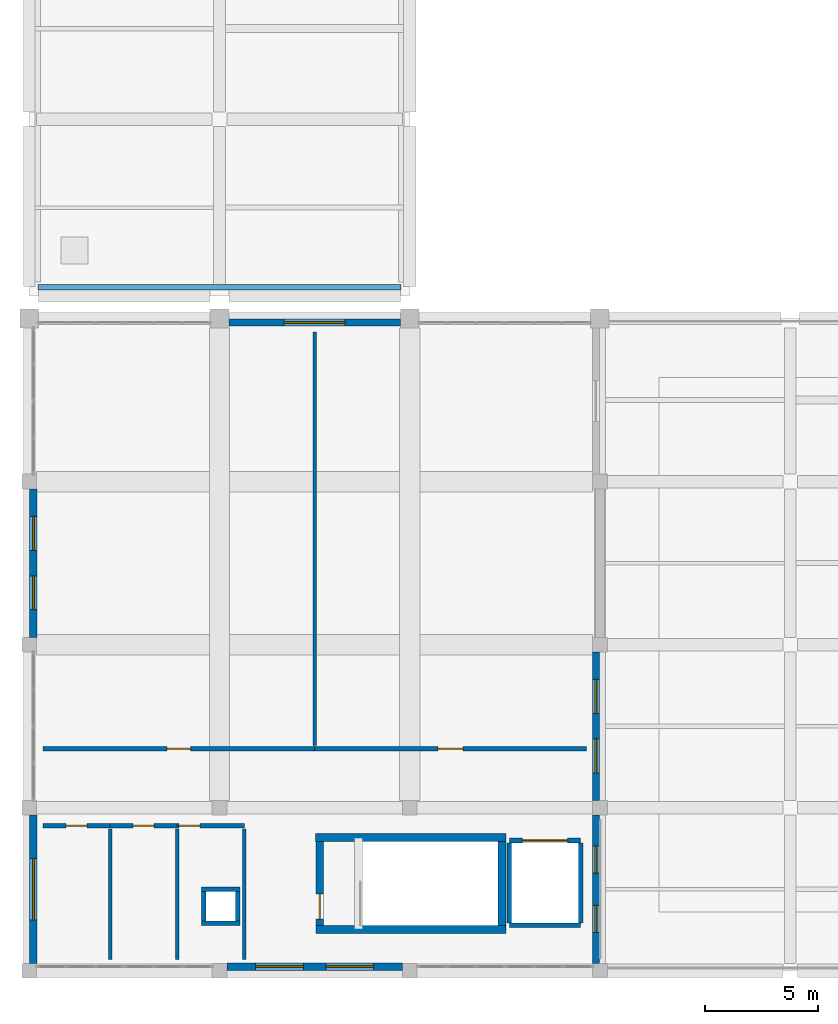
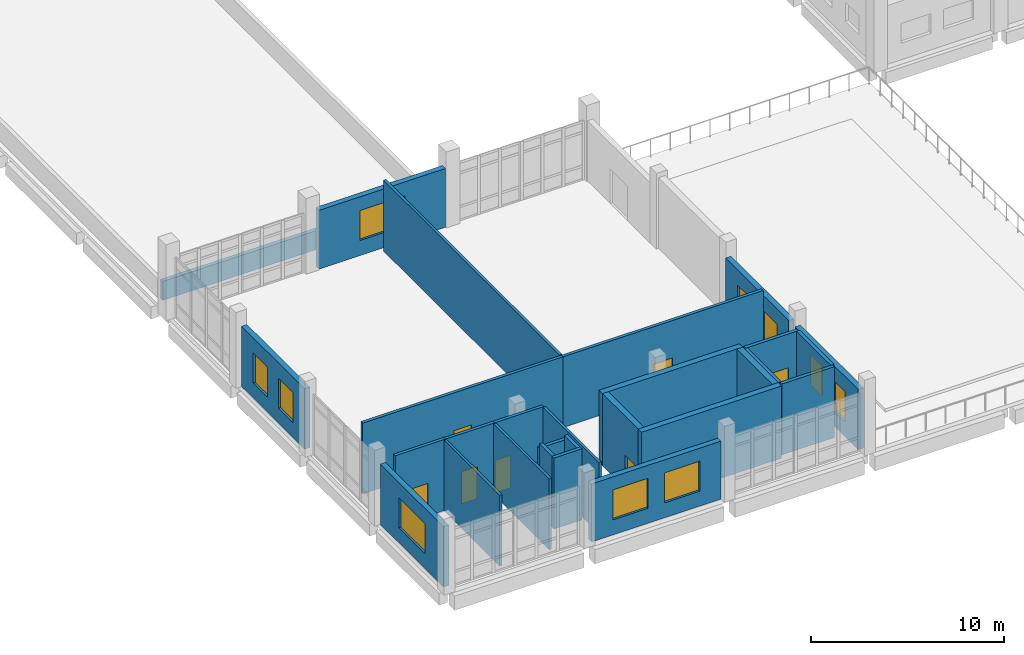
# One storey, part 48 of 73: 28 walls, 10 windows, 7 doors, 17 openings.
"""IFC4 building model written with IfcOpenShell, lengths in metres."""

from ifc_helpers import new_model, si_unit, direction, frame, frame_2d, origin, place, context, subcontext, project, spatial, rectangle, extrude, material, layer, layer_set, type_object, element, fill, save


model = new_model("IFC4")

# Units and contexts
model_context = context("Model", 3, precision=1e-05, world=origin(), true_north=direction((0.0, 1.0)))
body_context = subcontext(model_context, "Body", "Model", "MODEL_VIEW")
ifc_project = project(units=[si_unit("LENGTHUNIT", "METRE"), si_unit("AREAUNIT", "SQUARE_METRE"), si_unit("VOLUMEUNIT", "CUBIC_METRE"), si_unit("PLANEANGLEUNIT", "RADIAN"), si_unit("MASSUNIT", "GRAM", prefix="KILO")], contexts=[model_context])

# Site, building, storey
site_placement = place(None, origin())
site = spatial("IfcSite", under=ifc_project, at=site_placement, CompositionType="ELEMENT")
building_placement = place(site_placement, origin())
building = spatial("IfcBuilding", under=site, at=building_placement, Name="Kelarvand Opera House", CompositionType="ELEMENT")
storey_placement = place(building_placement, frame((0.0, 0.0, 10.199951171875)))
storey = spatial("IfcBuildingStorey", under=building, at=storey_placement, Name="L02", CompositionType="ELEMENT", Elevation=10.199951171875)

# Walls
ifc_material_1 = material(Name="Acoustic double-stud gypsum partition")
ifc_layer_1 = layer(ifc_material_1, 0.14990234375, Name="Acoustic double-stud gypsum partition")
ifc_layer_set_1 = layer_set([ifc_layer_1], Name="Acoustic double-stud gypsum partition")
wall_type_1 = type_object("IfcWallType", Name="Acoustic Room Partition Wall 150", PredefinedType="PARTITIONING", material=ifc_layer_set_1)
wall_1_placement = place(storey_placement, frame((21.60009765625, 18.93994140625, 0.0), z_axis=(0.0, 0.0, 1.0), x_axis=(0.0, 1.0, 0.0)))
element("IfcWall", 1, at=wall_1_placement, inside=storey, type_object=wall_type_1, Name="V4 L02 Partition Wall IW-150 (505)", PredefinedType="PARTITIONING", context=body_context, shape_type="SweptSolid", body=[
    extrude(rectangle(XDim=18.260009765625, YDim=0.14990234375, at=frame_2d((9.1298828125, 0.0))), origin(), (0.0, 0.0, 1.0), 4.491943359375),
])
for number, where, z_axis, x_axis, name in (
    (2, (12.56689453125, 9.5, 0.0), (0.0, 0.0, 1.0), (0.0, 1.0, 0.0), "V4 L02 Partition Wall IW-150 (508)"),
    (3, (15.532958984375, 9.5, 0.0), (0.0, 0.0, 1.0), (0.0, 1.0, 0.0), "V4 L02 Partition Wall IW-150 (510)"),
    (4, (18.5, 9.5, 0.0), (0.0, 0.0, 1.0), (0.0, 1.0, 0.0), "V4 L02 Partition Wall IW-150 (511)"),
):
    element("IfcWall", number, at=place(storey_placement, frame(where, z_axis=z_axis, x_axis=x_axis)), inside=storey, type_object=wall_type_1, Name=name, PredefinedType="PARTITIONING", context=body_context, shape_type="SweptSolid", body=[
        extrude(rectangle(XDim=5.760009765625, YDim=0.14990234375, at=frame_2d((2.8798828125, 0.0))), origin(), (0.0, 0.0, 1.0), 4.491943359375),
    ])
ifc_material_2 = material(Name="Concrete C35/45", Category="concrete")
ifc_layer_2 = layer(ifc_material_2, 0.239990234375, Name="Concrete C35/45", Category="concrete")
ifc_layer_set_2 = layer_set([ifc_layer_2], Name="Concrete C35/45")
wall_type_2 = type_object("IfcWallType", Name="Capped Travertine Roof Parapet 240", PredefinedType="PARAPET", material=ifc_layer_set_2)
wall_2_placement = place(storey_placement, frame((9.3798828125, 39.179931640625, 0.0), z_axis=(0.0, 0.0, 1.0), x_axis=(1.0, 0.0, 0.0)))
element("IfcWall", 5, at=wall_2_placement, inside=storey, type_object=wall_type_2, Name="V4 Roof Parapet 25", PredefinedType="PARAPET", context=body_context, shape_type="SweptSolid", body=[
    extrude(rectangle(XDim=16.0400390625, YDim=0.239990234375, at=frame_2d((8.02001953125, 0.0))), origin(), (0.0, 0.0, 1.0), 1.199951171875),
])
ifc_material_3 = material(Name="Concrete C40/50", Category="concrete")
ifc_layer_3 = layer(ifc_material_3, 0.35009765625, Name="Concrete C40/50", Category="concrete")
ifc_layer_set_3 = layer_set([ifc_layer_3], Name="Concrete C40/50")
wall_type_3 = type_object("IfcWallType", Name="Core Stair and Lift Shear Wall 350", PredefinedType="SHEAR", material=ifc_layer_set_3)
for number, where, z_axis, x_axis, name in (
    (6, (21.64990234375, 10.824951171875, 0.0), (0.0, 0.0, 1.0), (1.0, 0.0, 0.0), "C6 Stair Core Shear Wall S L02"),
    (7, (30.050048828125, 14.875, 0.0), (0.0, 0.0, 1.0), (-1.0, 0.0, 0.0), "C6 Stair Core Shear Wall N L02"),
):
    element("IfcWall", number, at=place(storey_placement, frame(where, z_axis=z_axis, x_axis=x_axis)), inside=storey, type_object=wall_type_3, Name=name, PredefinedType="SHEAR", context=body_context, shape_type="SweptSolid", body=[
        extrude(rectangle(XDim=8.400146484375, YDim=0.35009765625, at=frame_2d((4.2001953125, 0.0))), origin(), (0.0, 0.0, 1.0), 4.580078125),
    ])

# Wall, opening, door
wall_3_placement = place(storey_placement, frame((21.824951171875, 11.0, 0.0), z_axis=(0.0, 0.0, 1.0), x_axis=(0.0, 1.0, 0.0)))
wall_3 = element("IfcWall", 8, at=wall_3_placement, inside=storey, type_object=wall_type_3, Name="C6 Stair Core Shear Wall W L02", PredefinedType="SHEAR", context=body_context, shape_type="SweptSolid", body=[
    extrude(rectangle(XDim=3.699951171875, YDim=0.35009765625, at=frame_2d((1.85009765625, 0.0))), origin(), (0.0, 0.0, 1.0), 4.580078125),
])
opening_1_placement = place(wall_3_placement, frame((0.280029296875, 0.0, 0.0)))
opening_1 = element("IfcOpeningElement", 9, at=opening_1_placement, cuts=wall_3, Name="Opening FD-01", PredefinedType="OPENING", context=body_context, shape_type="SweptSolid", body=[
    extrude(rectangle(XDim=1.10009765625, YDim=2.080078125, at=frame_2d((0.550048828125, 1.0400390625))), frame((0.0, 0.18505859375, 0.0), z_axis=(0.0, -1.0, 0.0), x_axis=(1.0, 0.0, 0.0)), (0.0, 0.0, 1.0), 0.3701171875),
])
ifc_material_4 = material(Name="Fire-rated brushed stainless steel", Category="steel")
door_type_1 = type_object("IfcDoorType", Name="Steel Fire-Rated Stair and FF Lobby Door 1100x2080", OperationType="NOTDEFINED", PredefinedType="DOOR", material=ifc_material_4)
door_1_placement = place(opening_1_placement, origin())
door_1 = element("IfcDoor", 10, at=door_1_placement, inside=storey, type_object=door_type_1, Name="C6 Stair ST-06 Fire Door L02", OperationType="SINGLE_SWING_RIGHT", OverallHeight=2.080078125, OverallWidth=1.10009765625, PredefinedType="DOOR", context=body_context, shape_type="SweptSolid", body=[
    extrude(rectangle(XDim=1.10009765625, YDim=2.080078125, at=frame_2d((0.550048828125, 1.0400390625))), frame((0.0, 0.02490234375, 0.0), z_axis=(0.0, -1.0, 0.0), x_axis=(1.0, 0.0, 0.0)), (0.0, 0.0, 1.0), 0.050048828125),
])
fill(opening_1, door_1)

# Wall
wall_4_placement = place(storey_placement, frame((29.875, 14.699951171875, 0.0), z_axis=(0.0, 0.0, 1.0), x_axis=(0.0, -1.0, 0.0)))
element("IfcWall", 11, at=wall_4_placement, inside=storey, type_object=wall_type_3, Name="C6 Stair Core Shear Wall E L02", PredefinedType="SHEAR", context=body_context, shape_type="SweptSolid", body=[
    extrude(rectangle(XDim=3.699951171875, YDim=0.35009765625, at=frame_2d((1.85009765625, 0.0))), origin(), (0.0, 0.0, 1.0), 4.580078125),
])

# Wall, opening, door
ifc_layer_4 = layer(ifc_material_2, 0.179931640625, Name="Concrete C35/45", Category="concrete")
ifc_layer_set_4 = layer_set([ifc_layer_4], Name="Concrete C35/45")
wall_type_4 = type_object("IfcWallType", Name="Corridor Fire-Rated Partition Wall 180 EI90", PredefinedType="PARTITIONING", material=ifc_layer_set_4)
wall_5_placement = place(storey_placement, frame((9.60009765625, 18.800048828125, 0.0), z_axis=(0.0, 0.0, 1.0), x_axis=(1.0, 0.0, 0.0)))
wall_5 = element("IfcWall", 12, at=wall_5_placement, inside=storey, type_object=wall_type_4, Name="V4 L02 Partition Wall IW-90 (504)", PredefinedType="PARTITIONING", context=body_context, shape_type="SweptSolid", body=[
    extrude(rectangle(XDim=12.0, YDim=0.179931640625, at=frame_2d((6.0, 0.0))), origin(), (0.0, 0.0, 1.0), 4.491943359375),
])
opening_2_placement = place(wall_5_placement, frame((5.47509765625, 0.0, 0.0)))
opening_2 = element("IfcOpeningElement", 13, at=opening_2_placement, cuts=wall_5, Name="Opening D-02", PredefinedType="OPENING", context=body_context, shape_type="SweptSolid", body=[
    extrude(rectangle(XDim=1.050048828125, YDim=2.10009765625, at=frame_2d((0.52490234375, 1.050048828125))), frame((0.0, 0.10009765625, 0.0), z_axis=(0.0, -1.0, 0.0), x_axis=(1.0, 0.0, 0.0)), (0.0, 0.0, 1.0), 0.199951171875),
])
ifc_material_5 = material(Name="Acoustic walnut-veneered hardwood", Category="wood")
door_type_2 = type_object("IfcDoorType", Name="Acoustic Studio Single Door 1050x2100", OperationType="NOTDEFINED", PredefinedType="DOOR", material=ifc_material_5)
door_2_placement = place(opening_2_placement, origin())
door_2 = element("IfcDoor", 14, at=door_2_placement, inside=storey, type_object=door_type_2, Name="V4 L02 Door D-02 (224)", OperationType="SINGLE_SWING_RIGHT", OverallHeight=2.10009765625, OverallWidth=1.050048828125, PredefinedType="DOOR", context=body_context, shape_type="SweptSolid", body=[
    extrude(rectangle(XDim=1.050048828125, YDim=2.10009765625, at=frame_2d((0.52490234375, 1.050048828125))), frame((0.0, 0.02490234375, 0.0), z_axis=(0.0, -1.0, 0.0), x_axis=(1.0, 0.0, 0.0)), (0.0, 0.0, 1.0), 0.050048828125),
])
fill(opening_2, door_2)

wall_6_placement = place(storey_placement, frame((21.60009765625, 18.800048828125, 0.0), z_axis=(0.0, 0.0, 1.0), x_axis=(1.0, 0.0, 0.0)))
wall_6 = element("IfcWall", 15, at=wall_6_placement, inside=storey, type_object=wall_type_4, Name="V4 L02 Partition Wall IW-90 (506)", PredefinedType="PARTITIONING", context=body_context, shape_type="SweptSolid", body=[
    extrude(rectangle(XDim=12.0, YDim=0.179931640625, at=frame_2d((6.0, 0.0))), origin(), (0.0, 0.0, 1.0), 4.491943359375),
])
opening_3_placement = place(wall_6_placement, frame((5.43994140625, 0.0, 0.0)))
opening_3 = element("IfcOpeningElement", 16, at=opening_3_placement, cuts=wall_6, Name="Opening D-10", PredefinedType="OPENING", context=body_context, shape_type="SweptSolid", body=[
    extrude(rectangle(XDim=1.1201171875, YDim=2.1201171875, at=frame_2d((0.56005859375, 1.06005859375))), frame((0.0, 0.10009765625, 0.0), z_axis=(0.0, -1.0, 0.0), x_axis=(1.0, 0.0, 0.0)), (0.0, 0.0, 1.0), 0.199951171875),
])
door_type_3 = type_object("IfcDoorType", Name="Chorus Studio Single Door 1120x2120", OperationType="NOTDEFINED", PredefinedType="DOOR", material=ifc_material_5)
door_3_placement = place(opening_3_placement, origin())
door_3 = element("IfcDoor", 17, at=door_3_placement, inside=storey, type_object=door_type_3, Name="V4 L02 Door D-10 (225)", OperationType="SINGLE_SWING_LEFT", OverallHeight=2.1201171875, OverallWidth=1.1201171875, PredefinedType="DOOR", context=body_context, shape_type="SweptSolid", body=[
    extrude(rectangle(XDim=1.1201171875, YDim=2.1201171875, at=frame_2d((0.56005859375, 1.06005859375))), frame((0.0, 0.02490234375, 0.0), z_axis=(0.0, -1.0, 0.0), x_axis=(1.0, 0.0, 0.0)), (0.0, 0.0, 1.0), 0.050048828125),
])
fill(opening_3, door_3)

wall_7_placement = place(storey_placement, frame((9.60009765625, 15.39990234375, 0.0), z_axis=(0.0, 0.0, 1.0), x_axis=(1.0, 0.0, 0.0)))
wall_7 = element("IfcWall", 18, at=wall_7_placement, inside=storey, type_object=wall_type_4, Name="V4 L02 Partition Wall IW-90 (507)", PredefinedType="PARTITIONING", context=body_context, shape_type="SweptSolid", body=[
    extrude(rectangle(XDim=2.966796875, YDim=0.179931640625, at=frame_2d((1.4833984375, 0.0))), origin(), (0.0, 0.0, 1.0), 4.491943359375),
])
opening_4_placement = place(wall_7_placement, frame((1.02392578125, 0.0, 0.0)))
opening_4 = element("IfcOpeningElement", 19, at=opening_4_placement, cuts=wall_7, Name="Opening D-01", PredefinedType="OPENING", context=body_context, shape_type="SweptSolid", body=[
    extrude(rectangle(XDim=0.919921875, YDim=2.050048828125, at=frame_2d((0.4599609375, 1.02490234375))), frame((0.0, 0.10009765625, 0.0), z_axis=(0.0, -1.0, 0.0), x_axis=(1.0, 0.0, 0.0)), (0.0, 0.0, 1.0), 0.199951171875),
])
door_type_4 = type_object("IfcDoorType", Name="Solid Timber Dressing and WC Door 920x2050", OperationType="NOTDEFINED", PredefinedType="DOOR", material=ifc_material_5)
door_4_placement = place(opening_4_placement, origin())
door_4 = element("IfcDoor", 20, at=door_4_placement, inside=storey, type_object=door_type_4, Name="V4 L02 Door D-01 (226)", OperationType="SINGLE_SWING_RIGHT", OverallHeight=2.050048828125, OverallWidth=0.919921875, PredefinedType="DOOR", context=body_context, shape_type="SweptSolid", body=[
    extrude(rectangle(XDim=0.919921875, YDim=2.050048828125, at=frame_2d((0.4599609375, 1.02490234375))), frame((0.0, 0.02490234375, 0.0), z_axis=(0.0, -1.0, 0.0), x_axis=(1.0, 0.0, 0.0)), (0.0, 0.0, 1.0), 0.050048828125),
])
fill(opening_4, door_4)

wall_8_placement = place(storey_placement, frame((12.56689453125, 15.39990234375, 0.0), z_axis=(0.0, 0.0, 1.0), x_axis=(1.0, 0.0, 0.0)))
wall_8 = element("IfcWall", 21, at=wall_8_placement, inside=storey, type_object=wall_type_4, Name="V4 L02 Partition Wall IW-90 (509)", PredefinedType="PARTITIONING", context=body_context, shape_type="SweptSolid", body=[
    extrude(rectangle(XDim=2.966064453125, YDim=0.179931640625, at=frame_2d((1.48291015625, 0.0))), origin(), (0.0, 0.0, 1.0), 4.491943359375),
])
opening_5_placement = place(wall_8_placement, frame((1.02294921875, 0.0, 0.0)))
opening_5 = element("IfcOpeningElement", 22, at=opening_5_placement, cuts=wall_8, Name="Opening D-01", PredefinedType="OPENING", context=body_context, shape_type="SweptSolid", body=[
    extrude(rectangle(XDim=0.919921875, YDim=2.050048828125, at=frame_2d((0.4599609375, 1.02490234375))), frame((0.0, 0.10009765625, 0.0), z_axis=(0.0, -1.0, 0.0), x_axis=(1.0, 0.0, 0.0)), (0.0, 0.0, 1.0), 0.199951171875),
])
door_5_placement = place(opening_5_placement, origin())
door_5 = element("IfcDoor", 23, at=door_5_placement, inside=storey, type_object=door_type_4, Name="V4 L02 Door D-01 (227)", OperationType="SINGLE_SWING_LEFT", OverallHeight=2.050048828125, OverallWidth=0.919921875, PredefinedType="DOOR", context=body_context, shape_type="SweptSolid", body=[
    extrude(rectangle(XDim=0.919921875, YDim=2.050048828125, at=frame_2d((0.4599609375, 1.02490234375))), frame((0.0, 0.02490234375, 0.0), z_axis=(0.0, -1.0, 0.0), x_axis=(1.0, 0.0, 0.0)), (0.0, 0.0, 1.0), 0.050048828125),
])
fill(opening_5, door_5)

wall_9_placement = place(storey_placement, frame((15.532958984375, 15.39990234375, 0.0), z_axis=(0.0, 0.0, 1.0), x_axis=(1.0, 0.0, 0.0)))
wall_9 = element("IfcWall", 24, at=wall_9_placement, inside=storey, type_object=wall_type_4, Name="V4 L02 Partition Wall IW-90 (512)", PredefinedType="PARTITIONING", context=body_context, shape_type="SweptSolid", body=[
    extrude(rectangle(XDim=2.967041015625, YDim=0.179931640625, at=frame_2d((1.4833984375, 0.0))), origin(), (0.0, 0.0, 1.0), 4.491943359375),
])
opening_6_placement = place(wall_9_placement, frame((0.080078125, 0.0, 0.0)))
opening_6 = element("IfcOpeningElement", 25, at=opening_6_placement, cuts=wall_9, Name="Opening D-01", PredefinedType="OPENING", context=body_context, shape_type="SweptSolid", body=[
    extrude(rectangle(XDim=0.919921875, YDim=2.050048828125, at=frame_2d((0.4599609375, 1.02490234375))), frame((0.0, 0.10009765625, 0.0), z_axis=(0.0, -1.0, 0.0), x_axis=(1.0, 0.0, 0.0)), (0.0, 0.0, 1.0), 0.199951171875),
])
door_6_placement = place(opening_6_placement, origin())
door_6 = element("IfcDoor", 26, at=door_6_placement, inside=storey, type_object=door_type_4, Name="V4 L02 Door D-01 (228)", OperationType="SINGLE_SWING_RIGHT", OverallHeight=2.050048828125, OverallWidth=0.919921875, PredefinedType="DOOR", context=body_context, shape_type="SweptSolid", body=[
    extrude(rectangle(XDim=0.919921875, YDim=2.050048828125, at=frame_2d((0.4599609375, 1.02490234375))), frame((0.0, 0.02490234375, 0.0), z_axis=(0.0, -1.0, 0.0), x_axis=(1.0, 0.0, 0.0)), (0.0, 0.0, 1.0), 0.050048828125),
])
fill(opening_6, door_6)

# Wall, openings, windows
ifc_layer_5 = layer(ifc_material_2, 0.320068359375, Name="Concrete C35/45", Category="concrete")
ifc_layer_set_5 = layer_set([ifc_layer_5], Name="Concrete C35/45")
wall_type_5 = type_object("IfcWallType", Name="Insulated Buff Brick Cavity Wall 320", PredefinedType="SOLIDWALL", material=ifc_layer_set_5)
wall_10_placement = place(storey_placement, frame((34.02001953125, 23.074951171875, 0.0), z_axis=(0.0, 0.0, 1.0), x_axis=(0.0, -1.0, 0.0)))
wall_10 = element("IfcWall", 27, at=wall_10_placement, inside=storey, type_object=wall_type_5, Name="V4 L02 Exterior Wall EW-320 (549)", PredefinedType="SOLIDWALL", context=body_context, shape_type="SweptSolid", body=[
    extrude(rectangle(XDim=6.550048828125, YDim=0.320068359375, at=frame_2d((3.27490234375, 0.0))), origin(), (0.0, 0.0, 1.0), 3.822021484375),
])
opening_7_placement = place(wall_10_placement, frame((1.215087890625, 0.0, 0.949951171875)))
opening_7 = element("IfcOpeningElement", 28, at=opening_7_placement, cuts=wall_10, Name="Opening WN-11", PredefinedType="OPENING", context=body_context, shape_type="SweptSolid", body=[
    extrude(rectangle(XDim=1.5, YDim=1.89990234375, at=frame_2d((0.75, 0.949951171875))), frame((0.0, 0.169921875, 0.0), z_axis=(0.0, -1.0, 0.0), x_axis=(1.0, 0.0, 0.0)), (0.0, 0.0, 1.0), 0.340087890625),
])
opening_8_placement = place(wall_10_placement, frame((3.8349609375, 0.0, 0.949951171875)))
opening_8 = element("IfcOpeningElement", 29, at=opening_8_placement, cuts=wall_10, Name="Opening WN-11", PredefinedType="OPENING", context=body_context, shape_type="SweptSolid", body=[
    extrude(rectangle(XDim=1.5, YDim=1.89990234375, at=frame_2d((0.75, 0.949951171875))), frame((0.0, 0.169921875, 0.0), z_axis=(0.0, -1.0, 0.0), x_axis=(1.0, 0.0, 0.0)), (0.0, 0.0, 1.0), 0.340087890625),
])
ifc_material_6 = material(Name="Thermally broken aluminium and low-E double glazing", Category="aluminium")
window_type_1 = type_object("IfcWindowType", Name="Recessed Aluminium Thermal Window 1500x1900 WN-11", PartitioningType="SINGLE_PANEL", PredefinedType="WINDOW", material=ifc_material_6)
window_1_placement = place(opening_7_placement, origin())
window_1 = element("IfcWindow", 30, at=window_1_placement, inside=storey, type_object=window_type_1, Name="V4 L02 Facade Window WN-11 (269)", OverallHeight=1.89990234375, OverallWidth=1.5, PartitioningType="SINGLE_PANEL", PredefinedType="WINDOW", context=body_context, shape_type="SweptSolid", body=[
    extrude(rectangle(XDim=1.5, YDim=1.89990234375, at=frame_2d((0.75, 0.949951171875))), frame((0.0, 0.030029296875, 0.0), z_axis=(0.0, -1.0, 0.0), x_axis=(1.0, 0.0, 0.0)), (0.0, 0.0, 1.0), 0.06005859375),
])
fill(opening_7, window_1)
window_2_placement = place(opening_8_placement, origin())
window_2 = element("IfcWindow", 31, at=window_2_placement, inside=storey, type_object=window_type_1, Name="V4 L02 Facade Window WN-11 (270)", OverallHeight=1.89990234375, OverallWidth=1.5, PartitioningType="SINGLE_PANEL", PredefinedType="WINDOW", context=body_context, shape_type="SweptSolid", body=[
    extrude(rectangle(XDim=1.5, YDim=1.89990234375, at=frame_2d((0.75, 0.949951171875))), frame((0.0, 0.030029296875, 0.0), z_axis=(0.0, -1.0, 0.0), x_axis=(1.0, 0.0, 0.0)), (0.0, 0.0, 1.0), 0.06005859375),
])
fill(opening_8, window_2)

wall_11_placement = place(storey_placement, frame((34.02001953125, 15.875, 0.0), z_axis=(0.0, 0.0, 1.0), x_axis=(0.0, -1.0, 0.0)))
wall_11 = element("IfcWall", 32, at=wall_11_placement, inside=storey, type_object=wall_type_5, Name="V4 L02 Exterior Wall EW-320 (550)", PredefinedType="SOLIDWALL", context=body_context, shape_type="SweptSolid", body=[
    extrude(rectangle(XDim=6.550048828125, YDim=0.320068359375, at=frame_2d((3.27490234375, 0.0))), origin(), (0.0, 0.0, 1.0), 3.822021484375),
])
opening_9_placement = place(wall_11_placement, frame((1.364990234375, 0.0, 0.949951171875)))
opening_9 = element("IfcOpeningElement", 33, at=opening_9_placement, cuts=wall_11, Name="Opening WN-10", PredefinedType="OPENING", context=body_context, shape_type="SweptSolid", body=[
    extrude(rectangle(XDim=1.199951171875, YDim=1.89990234375, at=frame_2d((0.60009765625, 0.949951171875))), frame((0.0, 0.169921875, 0.0), z_axis=(0.0, -1.0, 0.0), x_axis=(1.0, 0.0, 0.0)), (0.0, 0.0, 1.0), 0.340087890625),
])
opening_10_placement = place(wall_11_placement, frame((3.985107421875, 0.0, 0.949951171875)))
opening_10 = element("IfcOpeningElement", 34, at=opening_10_placement, cuts=wall_11, Name="Opening WN-10", PredefinedType="OPENING", context=body_context, shape_type="SweptSolid", body=[
    extrude(rectangle(XDim=1.199951171875, YDim=1.89990234375, at=frame_2d((0.60009765625, 0.949951171875))), frame((0.0, 0.169921875, 0.0), z_axis=(0.0, -1.0, 0.0), x_axis=(1.0, 0.0, 0.0)), (0.0, 0.0, 1.0), 0.340087890625),
])
window_type_2 = type_object("IfcWindowType", Name="Recessed Aluminium Thermal Window 1200x1900 WN-10", PartitioningType="SINGLE_PANEL", PredefinedType="WINDOW", material=ifc_material_6)
window_3_placement = place(opening_9_placement, origin())
window_3 = element("IfcWindow", 35, at=window_3_placement, inside=storey, type_object=window_type_2, Name="V4 L02 Facade Window WN-10 (271)", OverallHeight=1.89990234375, OverallWidth=1.199951171875, PartitioningType="SINGLE_PANEL", PredefinedType="WINDOW", context=body_context, shape_type="SweptSolid", body=[
    extrude(rectangle(XDim=1.199951171875, YDim=1.89990234375, at=frame_2d((0.60009765625, 0.949951171875))), frame((0.0, 0.030029296875, 0.0), z_axis=(0.0, -1.0, 0.0), x_axis=(1.0, 0.0, 0.0)), (0.0, 0.0, 1.0), 0.06005859375),
])
fill(opening_9, window_3)
window_4_placement = place(opening_10_placement, origin())
window_4 = element("IfcWindow", 36, at=window_4_placement, inside=storey, type_object=window_type_2, Name="V4 L02 Facade Window WN-10 (272)", OverallHeight=1.89990234375, OverallWidth=1.199951171875, PartitioningType="SINGLE_PANEL", PredefinedType="WINDOW", context=body_context, shape_type="SweptSolid", body=[
    extrude(rectangle(XDim=1.199951171875, YDim=1.89990234375, at=frame_2d((0.60009765625, 0.949951171875))), frame((0.0, 0.030029296875, 0.0), z_axis=(0.0, -1.0, 0.0), x_axis=(1.0, 0.0, 0.0)), (0.0, 0.0, 1.0), 0.06005859375),
])
fill(opening_10, window_4)

# Wall, opening, window
wall_12_placement = place(storey_placement, frame((17.81005859375, 37.6201171875, 0.0), z_axis=(0.0, 0.0, 1.0), x_axis=(1.0, 0.0, 0.0)))
wall_12 = element("IfcWall", 37, at=wall_12_placement, inside=storey, type_object=wall_type_5, Name="V4 L02 Exterior Wall EW-320 (551)", PredefinedType="SOLIDWALL", context=body_context, shape_type="SweptSolid", body=[
    extrude(rectangle(XDim=7.579833984375, YDim=0.320068359375, at=frame_2d((3.7900390625, 0.0))), origin(), (0.0, 0.0, 1.0), 3.72216796875),
])
opening_11_placement = place(wall_12_placement, frame((2.43994140625, 0.0, 0.949951171875)))
opening_11 = element("IfcOpeningElement", 38, at=opening_11_placement, cuts=wall_12, Name="Opening WN-15", PredefinedType="OPENING", context=body_context, shape_type="SweptSolid", body=[
    extrude(rectangle(XDim=2.699951171875, YDim=1.89990234375, at=frame_2d((1.35009765625, 0.949951171875))), frame((0.0, 0.169921875, 0.0), z_axis=(0.0, -1.0, 0.0), x_axis=(1.0, 0.0, 0.0)), (0.0, 0.0, 1.0), 0.340087890625),
])
window_type_3 = type_object("IfcWindowType", Name="Recessed Aluminium Thermal Window 2700x1900 WN-15", PartitioningType="SINGLE_PANEL", PredefinedType="WINDOW", material=ifc_material_6)
window_5_placement = place(opening_11_placement, origin())
window_5 = element("IfcWindow", 39, at=window_5_placement, inside=storey, type_object=window_type_3, Name="V4 L02 Facade Window WN-15 (273)", OverallHeight=1.89990234375, OverallWidth=2.699951171875, PartitioningType="SINGLE_PANEL", PredefinedType="WINDOW", context=body_context, shape_type="SweptSolid", body=[
    extrude(rectangle(XDim=2.699951171875, YDim=1.89990234375, at=frame_2d((1.35009765625, 0.949951171875))), frame((0.0, 0.030029296875, 0.0), z_axis=(0.0, -1.0, 0.0), x_axis=(1.0, 0.0, 0.0)), (0.0, 0.0, 1.0), 0.06005859375),
])
fill(opening_11, window_5)

wall_13_placement = place(storey_placement, frame((9.179931640625, 9.324951171875, 0.0), z_axis=(0.0, 0.0, 1.0), x_axis=(0.0, 1.0, 0.0)))
wall_13 = element("IfcWall", 40, at=wall_13_placement, inside=storey, type_object=wall_type_5, Name="V4 L02 Exterior Wall EW-320 (552)", PredefinedType="SOLIDWALL", context=body_context, shape_type="SweptSolid", body=[
    extrude(rectangle(XDim=6.550048828125, YDim=0.320068359375, at=frame_2d((3.27490234375, 0.0))), origin(), (0.0, 0.0, 1.0), 3.822021484375),
])
opening_12_placement = place(wall_13_placement, frame((1.925048828125, 0.0, 0.949951171875)))
opening_12 = element("IfcOpeningElement", 41, at=opening_12_placement, cuts=wall_13, Name="Opening WN-15", PredefinedType="OPENING", context=body_context, shape_type="SweptSolid", body=[
    extrude(rectangle(XDim=2.699951171875, YDim=1.89990234375, at=frame_2d((1.35009765625, 0.949951171875))), frame((0.0, 0.169921875, 0.0), z_axis=(0.0, -1.0, 0.0), x_axis=(1.0, 0.0, 0.0)), (0.0, 0.0, 1.0), 0.340087890625),
])
window_6_placement = place(opening_12_placement, origin())
window_6 = element("IfcWindow", 42, at=window_6_placement, inside=storey, type_object=window_type_3, Name="V4 L02 Facade Window WN-15 (274)", OverallHeight=1.89990234375, OverallWidth=2.699951171875, PartitioningType="SINGLE_PANEL", PredefinedType="WINDOW", context=body_context, shape_type="SweptSolid", body=[
    extrude(rectangle(XDim=2.699951171875, YDim=1.89990234375, at=frame_2d((1.35009765625, 0.949951171875))), frame((0.0, 0.030029296875, 0.0), z_axis=(0.0, -1.0, 0.0), x_axis=(1.0, 0.0, 0.0)), (0.0, 0.0, 1.0), 0.06005859375),
])
fill(opening_12, window_6)

# Wall, openings, windows
wall_14_placement = place(storey_placement, frame((9.179931640625, 23.72509765625, 0.0), z_axis=(0.0, 0.0, 1.0), x_axis=(0.0, 1.0, 0.0)))
wall_14 = element("IfcWall", 43, at=wall_14_placement, inside=storey, type_object=wall_type_5, Name="V4 L02 Exterior Wall EW-320 (553)", PredefinedType="SOLIDWALL", context=body_context, shape_type="SweptSolid", body=[
    extrude(rectangle(XDim=6.5498046875, YDim=0.320068359375, at=frame_2d((3.27490234375, 0.0))), origin(), (0.0, 0.0, 1.0), 3.822021484375),
])
opening_13_placement = place(wall_14_placement, frame((1.215087890625, 0.0, 0.949951171875)))
opening_13 = element("IfcOpeningElement", 44, at=opening_13_placement, cuts=wall_14, Name="Opening WN-11", PredefinedType="OPENING", context=body_context, shape_type="SweptSolid", body=[
    extrude(rectangle(XDim=1.5, YDim=1.89990234375, at=frame_2d((0.75, 0.949951171875))), frame((0.0, 0.169921875, 0.0), z_axis=(0.0, -1.0, 0.0), x_axis=(1.0, 0.0, 0.0)), (0.0, 0.0, 1.0), 0.340087890625),
])
opening_14_placement = place(wall_14_placement, frame((3.8349609375, 0.0, 0.949951171875)))
opening_14 = element("IfcOpeningElement", 45, at=opening_14_placement, cuts=wall_14, Name="Opening WN-11", PredefinedType="OPENING", context=body_context, shape_type="SweptSolid", body=[
    extrude(rectangle(XDim=1.5, YDim=1.89990234375, at=frame_2d((0.75, 0.949951171875))), frame((0.0, 0.169921875, 0.0), z_axis=(0.0, -1.0, 0.0), x_axis=(1.0, 0.0, 0.0)), (0.0, 0.0, 1.0), 0.340087890625),
])
window_7_placement = place(opening_13_placement, origin())
window_7 = element("IfcWindow", 46, at=window_7_placement, inside=storey, type_object=window_type_1, Name="V4 L02 Facade Window WN-11 (275)", OverallHeight=1.89990234375, OverallWidth=1.5, PartitioningType="SINGLE_PANEL", PredefinedType="WINDOW", context=body_context, shape_type="SweptSolid", body=[
    extrude(rectangle(XDim=1.5, YDim=1.89990234375, at=frame_2d((0.75, 0.949951171875))), frame((0.0, 0.030029296875, 0.0), z_axis=(0.0, -1.0, 0.0), x_axis=(1.0, 0.0, 0.0)), (0.0, 0.0, 1.0), 0.06005859375),
])
fill(opening_13, window_7)
window_8_placement = place(opening_14_placement, origin())
window_8 = element("IfcWindow", 47, at=window_8_placement, inside=storey, type_object=window_type_1, Name="V4 L02 Facade Window WN-11 (276)", OverallHeight=1.89990234375, OverallWidth=1.5, PartitioningType="SINGLE_PANEL", PredefinedType="WINDOW", context=body_context, shape_type="SweptSolid", body=[
    extrude(rectangle(XDim=1.5, YDim=1.89990234375, at=frame_2d((0.75, 0.949951171875))), frame((0.0, 0.030029296875, 0.0), z_axis=(0.0, -1.0, 0.0), x_axis=(1.0, 0.0, 0.0)), (0.0, 0.0, 1.0), 0.06005859375),
])
fill(opening_14, window_8)

wall_15_placement = place(storey_placement, frame((25.47509765625, 9.179931640625, 0.0), z_axis=(0.0, 0.0, 1.0), x_axis=(-1.0, 0.0, 0.0)))
wall_15 = element("IfcWall", 48, at=wall_15_placement, inside=storey, type_object=wall_type_5, Name="V4 L02 Exterior Wall EW-320 (554)", PredefinedType="SOLIDWALL", context=body_context, shape_type="SweptSolid", body=[
    extrude(rectangle(XDim=7.75, YDim=0.320068359375, at=frame_2d((3.875, 0.0))), origin(), (0.0, 0.0, 1.0), 3.672119140625),
])
opening_15_placement = place(wall_15_placement, frame((1.27490234375, 0.0, 0.949951171875)))
opening_15 = element("IfcOpeningElement", 49, at=opening_15_placement, cuts=wall_15, Name="Opening WN-13", PredefinedType="OPENING", context=body_context, shape_type="SweptSolid", body=[
    extrude(rectangle(XDim=2.10009765625, YDim=1.89990234375, at=frame_2d((1.050048828125, 0.949951171875))), frame((0.0, 0.169921875, 0.0), z_axis=(0.0, -1.0, 0.0), x_axis=(1.0, 0.0, 0.0)), (0.0, 0.0, 1.0), 0.340087890625),
])
opening_16_placement = place(wall_15_placement, frame((4.375, 0.0, 0.949951171875)))
opening_16 = element("IfcOpeningElement", 50, at=opening_16_placement, cuts=wall_15, Name="Opening WN-13", PredefinedType="OPENING", context=body_context, shape_type="SweptSolid", body=[
    extrude(rectangle(XDim=2.10009765625, YDim=1.89990234375, at=frame_2d((1.050048828125, 0.949951171875))), frame((0.0, 0.169921875, 0.0), z_axis=(0.0, -1.0, 0.0), x_axis=(1.0, 0.0, 0.0)), (0.0, 0.0, 1.0), 0.340087890625),
])
window_type_4 = type_object("IfcWindowType", Name="Recessed Aluminium Thermal Window 2100x1900 WN-13", PartitioningType="SINGLE_PANEL", PredefinedType="WINDOW", material=ifc_material_6)
window_9_placement = place(opening_15_placement, origin())
window_9 = element("IfcWindow", 51, at=window_9_placement, inside=storey, type_object=window_type_4, Name="V4 L02 Facade Window WN-13 (277)", OverallHeight=1.89990234375, OverallWidth=2.10009765625, PartitioningType="SINGLE_PANEL", PredefinedType="WINDOW", context=body_context, shape_type="SweptSolid", body=[
    extrude(rectangle(XDim=2.10009765625, YDim=1.89990234375, at=frame_2d((1.050048828125, 0.949951171875))), frame((0.0, 0.030029296875, 0.0), z_axis=(0.0, -1.0, 0.0), x_axis=(1.0, 0.0, 0.0)), (0.0, 0.0, 1.0), 0.06005859375),
])
fill(opening_15, window_9)
window_10_placement = place(opening_16_placement, origin())
window_10 = element("IfcWindow", 52, at=window_10_placement, inside=storey, type_object=window_type_4, Name="V4 L02 Facade Window WN-13 (278)", OverallHeight=1.89990234375, OverallWidth=2.10009765625, PartitioningType="SINGLE_PANEL", PredefinedType="WINDOW", context=body_context, shape_type="SweptSolid", body=[
    extrude(rectangle(XDim=2.10009765625, YDim=1.89990234375, at=frame_2d((1.050048828125, 0.949951171875))), frame((0.0, 0.030029296875, 0.0), z_axis=(0.0, -1.0, 0.0), x_axis=(1.0, 0.0, 0.0)), (0.0, 0.0, 1.0), 0.06005859375),
])
fill(opening_16, window_10)

# Walls
ifc_layer_6 = layer(ifc_material_2, 0.199951171875, Name="Concrete C35/45", Category="concrete")
ifc_layer_set_6 = layer_set([ifc_layer_6], Name="Concrete C35/45")
wall_type_6 = type_object("IfcWallType", Name="Lift and Riser Shaft Enclosure Wall 200 EI120", PredefinedType="PARTITIONING", material=ifc_layer_set_6)
wall_16_placement = place(storey_placement, frame((16.60009765625, 11.10009765625, 0.0), z_axis=(0.0, 0.0, 1.0), x_axis=(1.0, 0.0, 0.0)))
element("IfcWall", 53, at=wall_16_placement, inside=storey, type_object=wall_type_6, Name="RSR-V4 L02 Riser Shaft Wall 113", PredefinedType="PARTITIONING", context=body_context, shape_type="SweptSolid", body=[
    extrude(rectangle(XDim=1.699951171875, YDim=0.199951171875, at=frame_2d((0.85009765625, 0.0))), origin(), (0.0, 0.0, 1.0), 4.5),
])
wall_17_placement = place(storey_placement, frame((18.300048828125, 12.60009765625, 0.0), z_axis=(0.0, 0.0, 1.0), x_axis=(-1.0, 0.0, 0.0)))
element("IfcWall", 54, at=wall_17_placement, inside=storey, type_object=wall_type_6, Name="RSR-V4 L02 Riser Shaft Wall 114", PredefinedType="PARTITIONING", context=body_context, shape_type="SweptSolid", body=[
    extrude(rectangle(XDim=1.699951171875, YDim=0.199951171875, at=frame_2d((0.85009765625, 0.0))), origin(), (0.0, 0.0, 1.0), 4.212158203125),
])
for number, where, z_axis, x_axis, name in (
    (55, (16.699951171875, 11.199951171875, 0.0), (0.0, 0.0, 1.0), (0.0, 1.0, 0.0), "RSR-V4 L02 Riser Shaft Wall 115"),
    (56, (18.199951171875, 12.5, 0.0), (0.0, 0.0, 1.0), (0.0, -1.0, 0.0), "RSR-V4 L02 Riser Shaft Wall 116"),
):
    element("IfcWall", number, at=place(storey_placement, frame(where, z_axis=z_axis, x_axis=x_axis)), inside=storey, type_object=wall_type_6, Name=name, PredefinedType="PARTITIONING", context=body_context, shape_type="SweptSolid", body=[
        extrude(rectangle(XDim=1.300048828125, YDim=0.199951171875, at=frame_2d((0.64990234375, 0.0))), origin(), (0.0, 0.0, 1.0), 4.5),
    ])
wall_18_placement = place(storey_placement, frame((30.199951171875, 11.0, 0.0), z_axis=(0.0, 0.0, 1.0), x_axis=(1.0, 0.0, 0.0)))
element("IfcWall", 57, at=wall_18_placement, inside=storey, type_object=wall_type_6, Name="V4 L02 Partition Wall SW-200 (462)", PredefinedType="PARTITIONING", context=body_context, shape_type="SweptSolid", body=[
    extrude(rectangle(XDim=3.150146484375, YDim=0.199951171875, at=frame_2d((1.5751953125, 0.0))), origin(), (0.0, 0.0, 1.0), 4.491943359375),
])

# Wall, opening, door
wall_19_placement = place(storey_placement, frame((33.35009765625, 14.75, 0.0), z_axis=(0.0, 0.0, 1.0), x_axis=(-1.0, 0.0, 0.0)))
wall_19 = element("IfcWall", 58, at=wall_19_placement, inside=storey, type_object=wall_type_6, Name="V4 L02 Partition Wall SW-200 (463)", PredefinedType="PARTITIONING", context=body_context, shape_type="SweptSolid", body=[
    extrude(rectangle(XDim=3.150146484375, YDim=0.199951171875, at=frame_2d((1.5751953125, 0.0))), origin(), (0.0, 0.0, 1.0), 4.491943359375),
])
opening_17_placement = place(wall_19_placement, frame((0.574951171875, 0.0, 0.0)))
opening_17 = element("IfcOpeningElement", 59, at=opening_17_placement, cuts=wall_19, Name="Opening LD-03", PredefinedType="OPENING", context=body_context, shape_type="SweptSolid", body=[
    extrude(rectangle(XDim=2.0, YDim=2.35009765625, at=frame_2d((1.0, 1.175048828125))), frame((0.0, 0.10986328125, 0.0), z_axis=(0.0, -1.0, 0.0), x_axis=(1.0, 0.0, 0.0)), (0.0, 0.0, 1.0), 0.219970703125),
])
door_type_5 = type_object("IfcDoorType", Name="Scenery Goods Lift Sliding Landing Door 2000x2350", OperationType="SLIDING_TO_LEFT", PredefinedType="DOOR", material=ifc_material_4)
door_7_placement = place(opening_17_placement, origin())
door_7 = element("IfcDoor", 60, at=door_7_placement, inside=storey, type_object=door_type_5, Name="V4 L02 Door LD-03 (205)", OperationType="SLIDING_TO_LEFT", OverallHeight=2.35009765625, OverallWidth=2.0, PredefinedType="DOOR", context=body_context, shape_type="SweptSolid", body=[
    extrude(rectangle(XDim=2.0, YDim=2.35009765625, at=frame_2d((1.0, 1.175048828125))), frame((0.0, 0.02490234375, 0.0), z_axis=(0.0, -1.0, 0.0), x_axis=(1.0, 0.0, 0.0)), (0.0, 0.0, 1.0), 0.050048828125),
])
fill(opening_17, door_7)

# Walls
for number, where, z_axis, x_axis, name in (
    (61, (30.199951171875, 11.10009765625, 0.0), (0.0, 0.0, 1.0), (0.0, 1.0, 0.0), "V4 L02 Partition Wall SW-200 (464)"),
    (62, (33.35009765625, 14.64990234375, 0.0), (0.0, 0.0, 1.0), (0.0, -1.0, 0.0), "V4 L02 Partition Wall SW-200 (465)"),
):
    element("IfcWall", number, at=place(storey_placement, frame(where, z_axis=z_axis, x_axis=x_axis)), inside=storey, type_object=wall_type_6, Name=name, PredefinedType="PARTITIONING", context=body_context, shape_type="SweptSolid", body=[
        extrude(rectangle(XDim=3.5498046875, YDim=0.199951171875, at=frame_2d((1.77490234375, 0.0))), origin(), (0.0, 0.0, 1.0), 4.491943359375),
    ])

save(model, "model.ifc")
